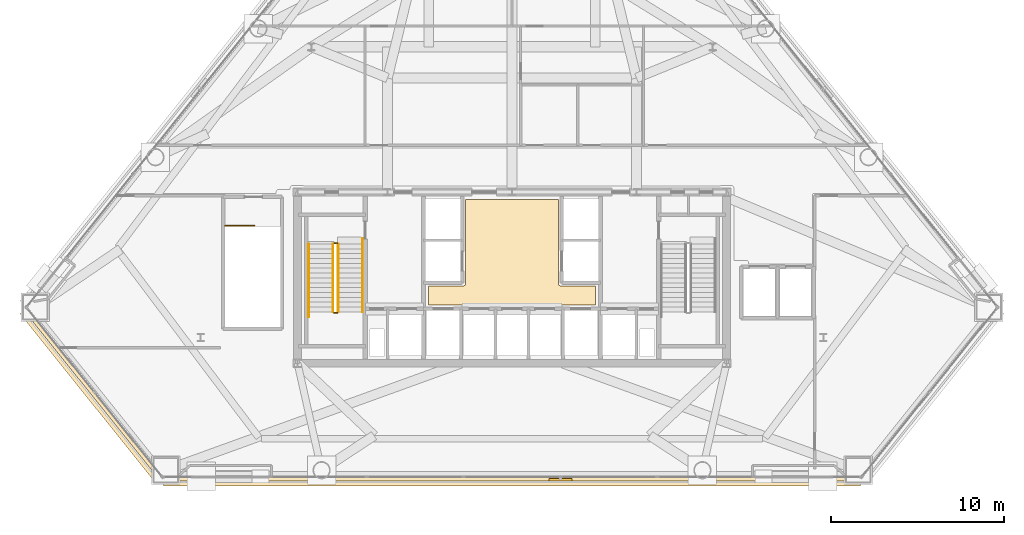
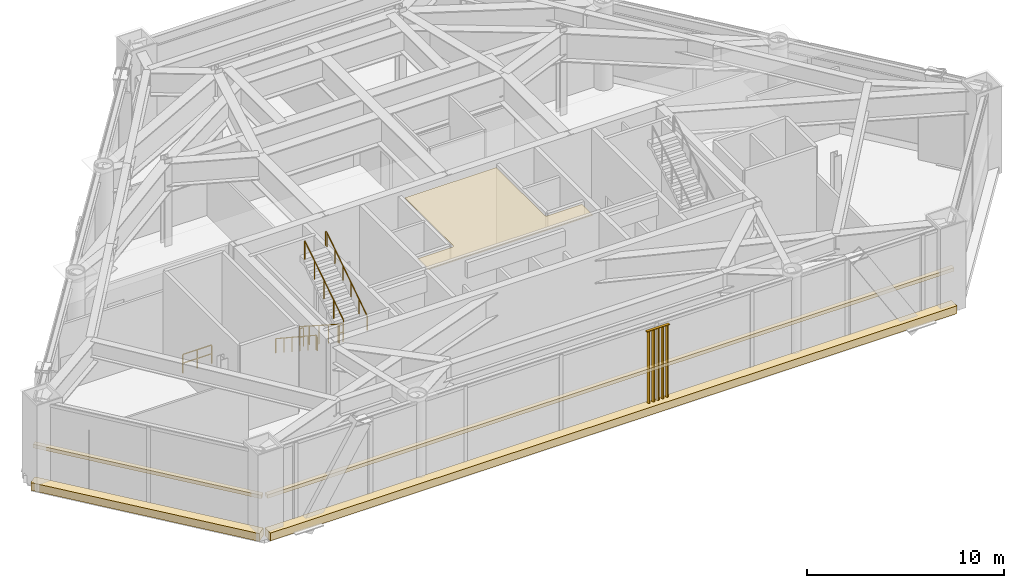
# One storey, part 11 of 13: 7 railings, 5 coverings, 1 shading device.
"""IFC4 building model written with IfcOpenShell, lengths in metres."""

from ifc_helpers import new_model, si_unit, direction, frame, origin, origin_2d, place, context, subcontext, project, spatial, polyline, rectangle, outline, extrude, source, transform, mapped, material, layer, layer_set, type_object, type_shapes, element, save


model = new_model("IFC4")

# Units and contexts
model_context = context("Model", 3, precision=1e-05, world=origin(), true_north=direction((0.0, 1.0)))
body_context = subcontext(model_context, "Body", "Model", "MODEL_VIEW")
ifc_project = project(units=[si_unit("LENGTHUNIT", "METRE"), si_unit("AREAUNIT", "SQUARE_METRE"), si_unit("VOLUMEUNIT", "CUBIC_METRE"), si_unit("PLANEANGLEUNIT", "RADIAN"), si_unit("MASSUNIT", "GRAM", prefix="KILO")], contexts=[model_context])

# Site, building, storey
site_placement = place(None, origin())
site = spatial("IfcSite", under=ifc_project, at=site_placement, CompositionType="ELEMENT")
building_placement = place(site_placement, origin())
building = spatial("IfcBuilding", under=site, at=building_placement, Name="Talgorran Terracotta Tower", CompositionType="ELEMENT")
storey_placement = place(building_placement, frame((0.0, 0.0, 18.89990234375)))
storey = spatial("IfcBuildingStorey", under=building, at=storey_placement, Name="L04", CompositionType="ELEMENT", Elevation=18.89990234375)

# Coverings
ifc_material_1 = material(Name="Kiln-Fired Terracotta Ochre Ceramic", Category="masonry")
ifc_layer_1 = layer(ifc_material_1, 0.179931640625, Name="COV_BAGUETTE_TERRACOTTA_SCREEN")
ifc_layer_set_1 = layer_set([ifc_layer_1], Name="Kiln-Fired Terracotta Ochre Ceramic")
covering_type_1 = type_object("IfcCoveringType", Name="COV_BAGUETTE_TERRACOTTA_SCREEN", PredefinedType="CLADDING", material=ifc_layer_set_1)
covering_1_placement = place(storey_placement, frame((-24.226318359375, -15.83056640625, 2.41015625), z_axis=(0.0, 0.0, 1.0), x_axis=(0.625120058901, -0.780528610597, 0.0)))
element("IfcCovering", 1, at=covering_1_placement, inside=storey, type_object=covering_type_1, Name="L04 Terracotta Baguette Solar Screen Assembly F0", PredefinedType="CLADDING", context=body_context, shape_type="SweptSolid", body=[
    extrude(rectangle(XDim=12.4462890625, YDim=0.260009765625, at=origin_2d()), origin(), (0.0, 0.0, 1.0), 0.219970703125),
])
covering_2_placement = place(storey_placement, frame((0.0, -20.780029296875, 2.41015625), z_axis=(0.0, 0.0, 1.0), x_axis=(1.0, 0.0, 0.0)))
element("IfcCovering", 2, at=covering_2_placement, inside=storey, type_object=covering_type_1, Name="L04 Terracotta Baguette Solar Screen Assembly F1", PredefinedType="CLADDING", context=body_context, shape_type="SweptSolid", body=[
    extrude(rectangle(XDim=40.288818359375, YDim=0.260009765625, at=origin_2d()), origin(), (0.0, 0.0, 1.0), 0.219970703125),
])
ifc_material_2 = material(Name="Flush Moisture-Resistant Plaster")
ifc_layer_2 = layer(ifc_material_2, 0.01806640625, Name="COV_CEIL_PLASTER")
ifc_layer_set_2 = layer_set([ifc_layer_2], Name="Flush Moisture-Resistant Plaster")
covering_type_2 = type_object("IfcCoveringType", Name="COV_CEIL_PLASTER", PredefinedType="CEILING", material=ifc_layer_set_2)
covering_3_placement = place(storey_placement, frame((0.0, 0.0, 5.06005859375)))
element("IfcCovering", 3, at=covering_3_placement, inside=storey, type_object=covering_type_2, Name="CEIL-L04-1", PredefinedType="CEILING", context=body_context, shape_type="SweptSolid", body=[
    extrude(outline(polyline([(-4.830078125, -9.6201171875), (-2.800048828125, -9.6201171875), (-2.7880859375, -9.619384765625), (-2.776611328125, -9.61767578125), (-2.76513671875, -9.61474609375), (-2.754150390625, -9.61083984375), (-2.743408203125, -9.605712890625), (-2.7333984375, -9.599853515625), (-2.723876953125, -9.5927734375), (-2.715087890625, -9.5849609375), (-2.707275390625, -9.576171875), (-2.7001953125, -9.566650390625), (-2.694091796875, -9.556640625), (-2.689208984375, -9.5458984375), (-2.685302734375, -9.534912109375), (-2.682373046875, -9.5234375), (-2.6806640625, -9.51171875), (-2.679931640625, -9.5), (-2.679931640625, -4.6201171875), (2.679931640625, -4.6201171875), (2.679931640625, -9.5), (2.6806640625, -9.51171875), (2.682373046875, -9.5234375), (2.685302734375, -9.534912109375), (2.689208984375, -9.5458984375), (2.694091796875, -9.556640625), (2.7001953125, -9.566650390625), (2.707275390625, -9.576171875), (2.715087890625, -9.5849609375), (2.723876953125, -9.5927734375), (2.7333984375, -9.599853515625), (2.743408203125, -9.605712890625), (2.754150390625, -9.61083984375), (2.76513671875, -9.61474609375), (2.776611328125, -9.61767578125), (2.7880859375, -9.619384765625), (2.800048828125, -9.6201171875), (4.830078125, -9.6201171875), (4.830078125, -10.72998046875), (-4.830078125, -10.72998046875), (-4.830078125, -9.6201171875)])), origin(), (0.0, 0.0, 1.0), 0.02001953125),
])
ifc_material_3 = material(Name="Honed Limestone Cladding", Category="masonry")
ifc_layer_3 = layer(ifc_material_3, 0.094970703125, Name="COV_PORTAL_LIME")
ifc_layer_set_3 = layer_set([ifc_layer_3], Name="Honed Limestone Cladding")
covering_type_3 = type_object("IfcCoveringType", Name="COV_PORTAL_LIME", PredefinedType="CLADDING", material=ifc_layer_set_3)
covering_4_placement = place(storey_placement, frame((-24.335693359375, -15.91796875, -0.039794921875), z_axis=(0.0, 0.0, 1.0), x_axis=(0.625120058901, -0.780528610597, 0.0)))
element("IfcCovering", 4, at=covering_4_placement, inside=storey, type_object=covering_type_3, Name="L04 Striped Postmodern Portal Cladding Band F0", PredefinedType="CLADDING", context=body_context, shape_type="SweptSolid", body=[
    extrude(rectangle(XDim=12.46630859375, YDim=0.56005859375, at=origin_2d()), origin(), (0.0, 0.0, 1.0), 0.47998046875),
])
covering_5_placement = place(storey_placement, frame((0.0, -20.919921875, -0.039794921875), z_axis=(0.0, 0.0, 1.0), x_axis=(1.0, 0.0, 0.0)))
element("IfcCovering", 5, at=covering_5_placement, inside=storey, type_object=covering_type_3, Name="L04 Striped Postmodern Portal Cladding Band F1", PredefinedType="CLADDING", context=body_context, shape_type="SweptSolid", body=[
    extrude(rectangle(XDim=40.308837890625, YDim=0.56005859375, at=origin_2d()), origin(), (0.0, 0.0, 1.0), 0.47998046875),
])

# Railings
ifc_material_4 = material(Name="Steel S355 (300PLUS)", Category="steel")
railing_type_1 = type_object("IfcRailingType", Name="RL_HANDRAIL_920", PredefinedType="HANDRAIL", material=ifc_material_4)
railing_1_placement = place(storey_placement, frame((-11.75, -7.199951171875, 0.18017578125)))
element("IfcRailing", 6, at=railing_1_placement, inside=storey, type_object=railing_type_1, Name="L04 ST-01 stair handrail 1", PredefinedType="HANDRAIL", context=body_context, shape_type="SweptSolid", body=[
    extrude(rectangle(XDim=0.048095703125, YDim=0.048095703125, at=origin_2d()), frame((0.0, 0.0, 0.89599609375), z_axis=(0.0, -0.835181450546, 0.549974494557), x_axis=(1.0, 0.0, 0.0)), (0.0, 0.0, 1.0), 4.9091796875),
    extrude(rectangle(XDim=0.048095703125, YDim=0.048095703125, at=origin_2d()), frame((0.0, -4.10009765625, 3.595703125), z_axis=(0.0, -1.0, 0.0), x_axis=(1.0, 0.0, 0.0)), (0.0, 0.0, 1.0), 0.119873046875),
    extrude(rectangle(XDim=0.0419921875, YDim=0.0419921875, at=origin_2d()), origin(), (0.0, 0.0, 1.0), 0.871826171875),
    extrude(rectangle(XDim=0.0419921875, YDim=0.0419921875, at=origin_2d()), frame((0.0, -0.820068359375, 0.5400390625)), (0.0, 0.0, 1.0), 0.871826171875),
    extrude(rectangle(XDim=0.0419921875, YDim=0.0419921875, at=origin_2d()), frame((0.0, -1.64013671875, 1.080078125)), (0.0, 0.0, 1.0), 0.871826171875),
    extrude(rectangle(XDim=0.0419921875, YDim=0.0419921875, at=origin_2d()), frame((0.0, -2.4599609375, 1.619873046875)), (0.0, 0.0, 1.0), 0.871826171875),
    extrude(rectangle(XDim=0.0419921875, YDim=0.0419921875, at=origin_2d()), frame((0.0, -3.280029296875, 2.159912109375)), (0.0, 0.0, 1.0), 0.871826171875),
    extrude(rectangle(XDim=0.0419921875, YDim=0.0419921875, at=origin_2d()), frame((0.0, -4.10009765625, 2.699951171875)), (0.0, 0.0, 1.0), 0.871826171875),
    extrude(rectangle(XDim=0.0419921875, YDim=0.0419921875, at=origin_2d()), frame((0.0, -4.219970703125, 2.699951171875)), (0.0, 0.0, 1.0), 0.871826171875),
])
railing_2_placement = place(storey_placement, frame((-8.64990234375, -11.1201171875, 2.880126953125)))
element("IfcRailing", 7, at=railing_2_placement, inside=storey, type_object=railing_type_1, Name="L04 ST-01 stair handrail 2", PredefinedType="HANDRAIL", context=body_context, shape_type="SweptSolid", body=[
    extrude(rectangle(XDim=0.048095703125, YDim=0.048095703125, at=origin_2d()), frame((0.0, 0.0, 0.89599609375), z_axis=(0.0, 0.835181450546, 0.549974494557), x_axis=(-1.0, 0.0, 0.0)), (0.0, 0.0, 1.0), 4.9091796875),
    extrude(rectangle(XDim=0.048095703125, YDim=0.048095703125, at=origin_2d()), frame((0.0, 4.10009765625, 3.595703125), z_axis=(0.0, 1.0, 0.0), x_axis=(-1.0, 0.0, 0.0)), (0.0, 0.0, 1.0), 0.1201171875),
    extrude(rectangle(XDim=0.0419921875, YDim=0.0419921875, at=origin_2d()), origin(), (0.0, 0.0, 1.0), 0.871826171875),
    extrude(rectangle(XDim=0.0419921875, YDim=0.0419921875, at=origin_2d()), frame((0.0, 0.820068359375, 0.5400390625)), (0.0, 0.0, 1.0), 0.871826171875),
    extrude(rectangle(XDim=0.0419921875, YDim=0.0419921875, at=origin_2d()), frame((0.0, 1.64013671875, 1.080078125)), (0.0, 0.0, 1.0), 0.871826171875),
    extrude(rectangle(XDim=0.0419921875, YDim=0.0419921875, at=origin_2d()), frame((0.0, 2.4599609375, 1.619873046875)), (0.0, 0.0, 1.0), 0.871826171875),
    extrude(rectangle(XDim=0.0419921875, YDim=0.0419921875, at=origin_2d()), frame((0.0, 3.280029296875, 2.159912109375)), (0.0, 0.0, 1.0), 0.871826171875),
    extrude(rectangle(XDim=0.0419921875, YDim=0.0419921875, at=origin_2d()), frame((0.0, 4.10009765625, 2.699951171875)), (0.0, 0.0, 1.0), 0.871826171875),
    extrude(rectangle(XDim=0.0419921875, YDim=0.0419921875, at=origin_2d()), frame((0.0, 4.22021484375, 2.699951171875)), (0.0, 0.0, 1.0), 0.871826171875),
])
railing_type_2 = type_object("IfcRailingType", Name="RL_STAIR_GUARD", PredefinedType="GUARDRAIL", material=ifc_material_4)
railing_3_placement = place(storey_placement, frame((-10.35009765625, -7.199951171875, 0.18017578125)))
element("IfcRailing", 8, at=railing_3_placement, inside=storey, type_object=railing_type_2, Name="L04 ST-01 stair guard 1", PredefinedType="GUARDRAIL", context=body_context, shape_type="SweptSolid", body=[
    extrude(rectangle(XDim=0.048095703125, YDim=0.048095703125, at=origin_2d()), frame((0.0, 0.0, 1.15576171875), z_axis=(0.0, -0.841186985886, 0.540744352514), x_axis=(1.0, 0.0, 0.0)), (0.0, 0.0, 1.0), 4.660400390625),
    extrude(rectangle(XDim=0.0419921875, YDim=0.0419921875, at=origin_2d()), origin(), (0.0, 0.0, 1.0), 1.1318359375),
    extrude(rectangle(XDim=0.0419921875, YDim=0.0419921875, at=origin_2d()), frame((0.0, -0.97998046875, 0.6298828125)), (0.0, 0.0, 1.0), 1.1318359375),
    extrude(rectangle(XDim=0.0419921875, YDim=0.0419921875, at=origin_2d()), frame((0.0, -1.9599609375, 1.260009765625)), (0.0, 0.0, 1.0), 1.1318359375),
    extrude(rectangle(XDim=0.0419921875, YDim=0.0419921875, at=origin_2d()), frame((0.0, -2.940185546875, 1.89013671875)), (0.0, 0.0, 1.0), 1.1318359375),
    extrude(rectangle(XDim=0.0419921875, YDim=0.0419921875, at=origin_2d()), frame((0.0, -3.920166015625, 2.52001953125)), (0.0, 0.0, 1.0), 1.1318359375),
])
railing_4_placement = place(storey_placement, frame((-10.300048828125, -11.169921875, 2.7001953125)))
element("IfcRailing", 9, at=railing_4_placement, inside=storey, type_object=railing_type_2, Name="L04 ST-01 stair guard 2", PredefinedType="GUARDRAIL", context=body_context, shape_type="SweptSolid", body=[
    extrude(rectangle(XDim=0.048095703125, YDim=0.048095703125, at=origin_2d()), frame((0.0, 0.0, 1.15576171875), z_axis=(1.0, 0.0, 0.0), x_axis=(0.0, 1.0, 0.0)), (0.0, 0.0, 1.0), 0.199951171875),
    extrude(rectangle(XDim=0.048095703125, YDim=0.048095703125, at=origin_2d()), frame((0.0, 0.0, 0.613525390625), z_axis=(1.0, 0.0, 0.0), x_axis=(0.0, 1.0, 0.0)), (0.0, 0.0, 1.0), 0.199951171875),
    extrude(rectangle(XDim=0.0419921875, YDim=0.0419921875, at=origin_2d()), origin(), (0.0, 0.0, 1.0), 1.1318359375),
    extrude(rectangle(XDim=0.0419921875, YDim=0.0419921875, at=origin_2d()), frame((0.199951171875, 0.0, 0.0)), (0.0, 0.0, 1.0), 1.1318359375),
])
railing_5_placement = place(storey_placement, frame((-10.050048828125, -11.1201171875, 2.880126953125)))
element("IfcRailing", 10, at=railing_5_placement, inside=storey, type_object=railing_type_2, Name="L04 ST-01 stair guard 3", PredefinedType="GUARDRAIL", context=body_context, shape_type="SweptSolid", body=[
    extrude(rectangle(XDim=0.048095703125, YDim=0.048095703125, at=origin_2d()), frame((0.0, 0.0, 1.15576171875), z_axis=(0.0, 0.841186985886, 0.540744352514), x_axis=(-1.0, 0.0, 0.0)), (0.0, 0.0, 1.0), 4.660400390625),
    extrude(rectangle(XDim=0.0419921875, YDim=0.0419921875, at=origin_2d()), origin(), (0.0, 0.0, 1.0), 1.1318359375),
    extrude(rectangle(XDim=0.0419921875, YDim=0.0419921875, at=origin_2d()), frame((0.0, 0.97998046875, 0.6298828125)), (0.0, 0.0, 1.0), 1.1318359375),
    extrude(rectangle(XDim=0.0419921875, YDim=0.0419921875, at=origin_2d()), frame((0.0, 1.9599609375, 1.260009765625)), (0.0, 0.0, 1.0), 1.1318359375),
    extrude(rectangle(XDim=0.0419921875, YDim=0.0419921875, at=origin_2d()), frame((0.0, 2.940185546875, 1.89013671875)), (0.0, 0.0, 1.0), 1.1318359375),
    extrude(rectangle(XDim=0.0419921875, YDim=0.0419921875, at=origin_2d()), frame((0.0, 3.920166015625, 2.52001953125)), (0.0, 0.0, 1.0), 1.1318359375),
])
railing_6_placement = place(storey_placement, frame((-10.300048828125, -7.14990234375, 0.0)))
element("IfcRailing", 11, at=railing_6_placement, inside=storey, type_object=railing_type_2, Name="L04 ST-01 stair guard 4", PredefinedType="GUARDRAIL", context=body_context, shape_type="SweptSolid", body=[
    extrude(rectangle(XDim=0.048095703125, YDim=0.048095703125, at=origin_2d()), frame((0.0, 0.0, 1.15576171875), z_axis=(1.0, 0.0, 0.0), x_axis=(0.0, 1.0, 0.0)), (0.0, 0.0, 1.0), 0.199951171875),
    extrude(rectangle(XDim=0.048095703125, YDim=0.048095703125, at=origin_2d()), frame((0.0, 0.0, 0.613525390625), z_axis=(1.0, 0.0, 0.0), x_axis=(0.0, 1.0, 0.0)), (0.0, 0.0, 1.0), 0.199951171875),
    extrude(rectangle(XDim=0.0419921875, YDim=0.0419921875, at=origin_2d()), origin(), (0.0, 0.0, 1.0), 1.1318359375),
    extrude(rectangle(XDim=0.0419921875, YDim=0.0419921875, at=origin_2d()), frame((0.199951171875, 0.0, 0.0)), (0.0, 0.0, 1.0), 1.1318359375),
])
railing_7_placement = place(storey_placement, frame((-16.60009765625, -6.14990234375, 0.0)))
element("IfcRailing", 12, at=railing_7_placement, inside=storey, type_object=railing_type_2, Name="L04 ST-03 top well guard 1", PredefinedType="GUARDRAIL", context=body_context, shape_type="SweptSolid", body=[
    extrude(rectangle(XDim=0.048095703125, YDim=0.048095703125, at=origin_2d()), frame((0.0, 0.0, 1.15576171875), z_axis=(1.0, 0.0, 0.0), x_axis=(0.0, 1.0, 0.0)), (0.0, 0.0, 1.0), 1.7001953125),
    extrude(rectangle(XDim=0.048095703125, YDim=0.048095703125, at=origin_2d()), frame((0.0, 0.0, 0.613525390625), z_axis=(1.0, 0.0, 0.0), x_axis=(0.0, 1.0, 0.0)), (0.0, 0.0, 1.0), 1.7001953125),
    extrude(rectangle(XDim=0.0419921875, YDim=0.0419921875, at=origin_2d()), origin(), (0.0, 0.0, 1.0), 1.1318359375),
    extrude(rectangle(XDim=0.0419921875, YDim=0.0419921875, at=origin_2d()), frame((0.85009765625, 0.0, 0.0)), (0.0, 0.0, 1.0), 1.1318359375),
    extrude(rectangle(XDim=0.0419921875, YDim=0.0419921875, at=origin_2d()), frame((1.7001953125, 0.0, 0.0)), (0.0, 0.0, 1.0), 1.1318359375),
])

# Shading device
ifc_material_5 = material(Name="Kiln-Fired Terracotta", Category="masonry")
ifc_layer_4 = layer(ifc_material_5, 0.139892578125, Name="SHD_BAGUETTE_TERRA")
ifc_layer_set_4 = layer_set([ifc_layer_4], Name="Kiln-Fired Terracotta")
shading_device_type = type_object("IfcShadingDeviceType", Name="SHD_BAGUETTE_TERRA", PredefinedType="JALOUSIE", material=ifc_layer_set_4)
shared_shape = source(origin(), body_context, "Body", "SweptSolid", [
    extrude(rectangle(XDim=1.35009765625, YDim=0.139892578125, at=origin_2d()), origin(), (0.0, 0.0, 1.0), 0.054931640625),
    extrude(rectangle(XDim=1.35009765625, YDim=0.139892578125, at=origin_2d()), frame((0.0, 0.0, 4.545166015625)), (0.0, 0.0, 1.0), 0.054931640625),
    extrude(rectangle(XDim=0.074951171875, YDim=0.139892578125, at=origin_2d()), frame((-0.53515625, 0.0, 0.054931640625), z_axis=(0.0, 0.0, 1.0), x_axis=(0.866025403784, 0.5, 0.0)), (0.0, 0.0, 1.0), 4.490234375),
    extrude(rectangle(XDim=0.074951171875, YDim=0.139892578125, at=origin_2d()), frame((-0.267578125, 0.0, 0.054931640625), z_axis=(0.0, 0.0, 1.0), x_axis=(0.866025403784, 0.5, 0.0)), (0.0, 0.0, 1.0), 4.490234375),
    extrude(rectangle(XDim=0.074951171875, YDim=0.139892578125, at=origin_2d()), frame((0.0, 0.0, 0.054931640625), z_axis=(0.0, 0.0, 1.0), x_axis=(0.866025403784, 0.5, 0.0)), (0.0, 0.0, 1.0), 4.490234375),
    extrude(rectangle(XDim=0.074951171875, YDim=0.139892578125, at=origin_2d()), frame((0.267578125, 0.0, 0.054931640625), z_axis=(0.0, 0.0, 1.0), x_axis=(0.866025403784, 0.5, 0.0)), (0.0, 0.0, 1.0), 4.490234375),
    extrude(rectangle(XDim=0.074951171875, YDim=0.139892578125, at=origin_2d()), frame((0.53515625, 0.0, 0.054931640625), z_axis=(0.0, 0.0, 1.0), x_axis=(0.866025403784, 0.5, 0.0)), (0.0, 0.0, 1.0), 4.490234375),
])
type_shapes(shading_device_type, [shared_shape])
shading_device_placement = place(storey_placement, frame((2.80029296875, -20.820068359375, 0.35009765625), z_axis=(0.0, 0.0, 1.0), x_axis=(1.0, 0.0, 0.0)))
element("IfcShadingDevice", 13, at=shading_device_placement, inside=storey, type_object=shading_device_type, Name="BAG-L04-F1", PredefinedType="JALOUSIE", context=body_context, shape_type="MappedRepresentation", body=[
    mapped(shared_shape, transform((0.0, 0.0, 0.0), scale=1.0)),
])

save(model, "model.ifc")
